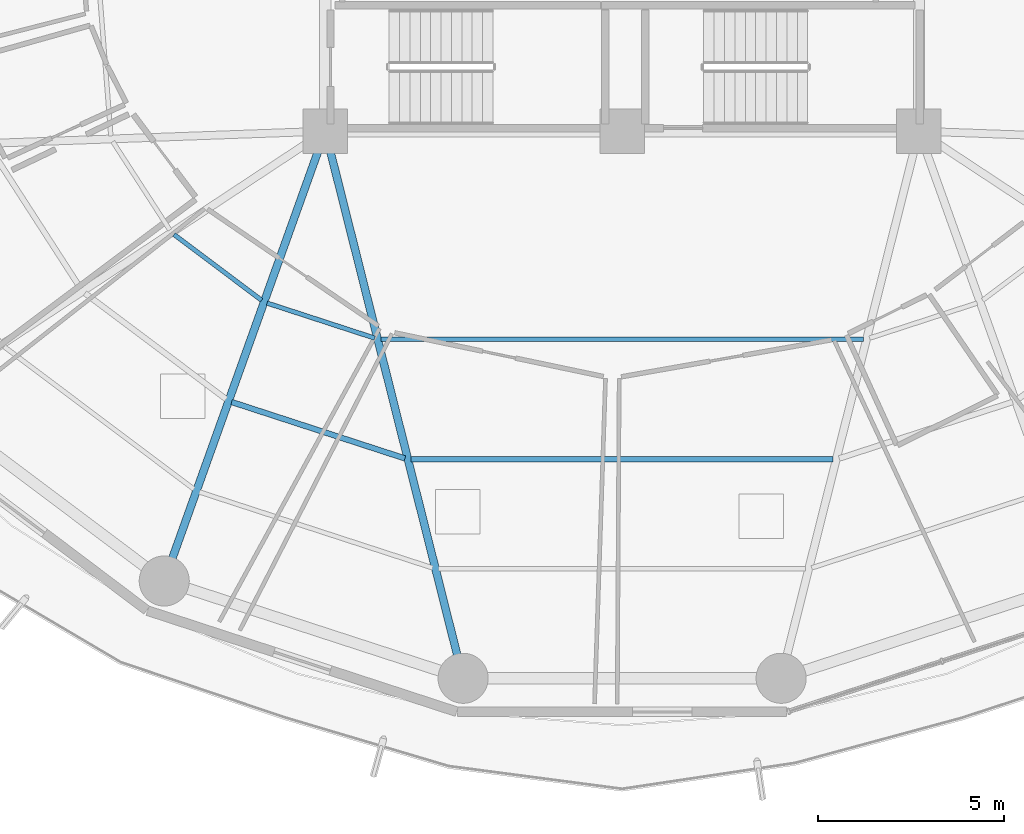
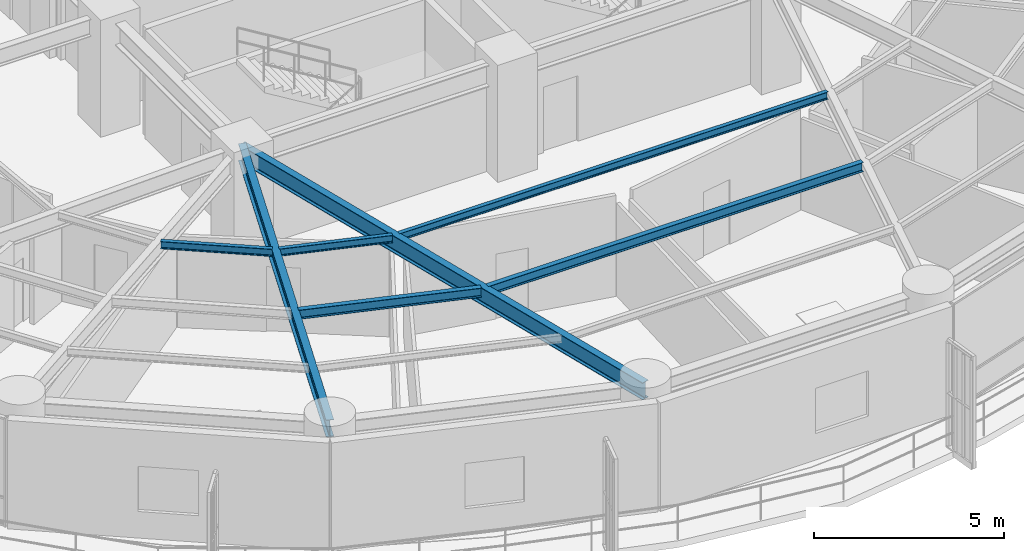
# One storey, part 5 of 38: 7 beams.
"""IFC4 building model written with IfcOpenShell, lengths in metres."""

from ifc_helpers import new_model, si_unit, direction, frame, origin, origin_2d, place, context, subcontext, project, spatial, i_section, extrude, material, material_profile, profile_set, type_object, element, save


model = new_model("IFC4")

# Units and contexts
model_context = context("Model", 3, precision=1e-05, world=origin(), true_north=direction((0.0, 1.0)))
body_context = subcontext(model_context, "Body", "Model", "MODEL_VIEW")
ifc_project = project(units=[si_unit("LENGTHUNIT", "METRE"), si_unit("AREAUNIT", "SQUARE_METRE"), si_unit("VOLUMEUNIT", "CUBIC_METRE"), si_unit("PLANEANGLEUNIT", "RADIAN"), si_unit("MASSUNIT", "GRAM", prefix="KILO")], contexts=[model_context])

# Site, building, storey
site_placement = place(None, origin())
site = spatial("IfcSite", under=ifc_project, at=site_placement, CompositionType="ELEMENT")
building_placement = place(site_placement, origin())
building = spatial("IfcBuilding", under=site, at=building_placement, Name="Kelanora Arch Commons", CompositionType="ELEMENT")
storey_placement = place(building_placement, frame((0.0, 0.0, 106.35009765625)))
storey = spatial("IfcBuildingStorey", under=building, at=storey_placement, Name="L27", CompositionType="ELEMENT", Elevation=106.35009765625)

# Beams
ifc_material = material(Name="Steel S355", Category="steel")
ifc_material_profile_1 = material_profile(ifc_material, i_section(OverallWidth=0.14990234375, OverallDepth=0.300048828125, WebThickness=0.007080078125, FlangeThickness=0.0107421875, FilletRadius=0.014892578125, at=origin_2d()), Name="IPE300")
ifc_profile_set_1 = profile_set([ifc_material_profile_1], Name="Steel S355")
beam_type_1 = type_object("IfcBeamType", Name="BM-JST-01", PredefinedType="JOIST", material=ifc_profile_set_1)
beam_1_placement = place(storey_placement, frame((63.476806640625, 43.70068359375, 3.33984375), z_axis=(0.950857140254, -0.309629938521, 0.0), x_axis=(0.309629938521, 0.950857140254, 0.0)))
element("IfcBeam", 1, at=beam_1_placement, inside=storey, type_object=beam_type_1, Name="Secondary Chord Joist BJB-24 L27", PredefinedType="JOIST", context=body_context, shape_type="SweptSolid", body=[
    extrude(i_section(OverallWidth=0.14990234375, OverallDepth=0.300048828125, WebThickness=0.007080078125, FlangeThickness=0.0107421875, FilletRadius=0.014892578125, at=origin_2d()), origin(), (0.0, 0.0, 1.0), 4.912353515625),
])
beam_2_placement = place(storey_placement, frame((68.313720703125, 42.1533203125, 3.33984375), z_axis=(1.0, 0.0, 0.0), x_axis=(0.0, 1.0, 0.0)))
element("IfcBeam", 2, at=beam_2_placement, inside=storey, type_object=beam_type_1, Name="Secondary Chord Joist BJB-26 L27", PredefinedType="JOIST", context=body_context, shape_type="SweptSolid", body=[
    extrude(i_section(OverallWidth=0.14990234375, OverallDepth=0.300048828125, WebThickness=0.007080078125, FlangeThickness=0.0107421875, FilletRadius=0.014892578125, at=origin_2d()), origin(), (0.0, 0.0, 1.0), 11.37255859375),
])
ifc_material_profile_2 = material_profile(ifc_material, i_section(OverallWidth=0.1201171875, OverallDepth=0.239990234375, WebThickness=0.006103515625, FlangeThickness=0.009765625, FilletRadius=0.014892578125, at=origin_2d()), Name="IPE240")
ifc_profile_set_2 = profile_set([ifc_material_profile_2], Name="Steel S355")
beam_type_2 = type_object("IfcBeamType", Name="BM-JST-02", PredefinedType="JOIST", material=ifc_profile_set_2)
beam_3_placement = place(storey_placement, frame((61.923583984375, 48.2158203125, 3.369873046875), z_axis=(0.799692034361, -0.600410401458, 0.0), x_axis=(0.600410401458, 0.799692034361, 0.0)))
element("IfcBeam", 3, at=beam_3_placement, inside=storey, type_object=beam_type_2, Name="Secondary Chord Joist BJA-22 L27", PredefinedType="JOIST", context=body_context, shape_type="SweptSolid", body=[
    extrude(i_section(OverallWidth=0.1201171875, OverallDepth=0.239990234375, WebThickness=0.006103515625, FlangeThickness=0.009765625, FilletRadius=0.014892578125, at=origin_2d()), origin(), (0.0, 0.0, 1.0), 2.949951171875),
])
beam_4_placement = place(storey_placement, frame((64.431640625, 46.367431640625, 3.369873046875), z_axis=(0.950846758946, -0.309661817151, 0.0), x_axis=(0.309661817151, 0.950846758946, 0.0)))
element("IfcBeam", 4, at=beam_4_placement, inside=storey, type_object=beam_type_2, Name="Secondary Chord Joist BJA-24 L27", PredefinedType="JOIST", context=body_context, shape_type="SweptSolid", body=[
    extrude(i_section(OverallWidth=0.1201171875, OverallDepth=0.239990234375, WebThickness=0.006103515625, FlangeThickness=0.009765625, FilletRadius=0.014892578125, at=origin_2d()), origin(), (0.0, 0.0, 1.0), 3.048828125),
])
beam_5_placement = place(storey_placement, frame((67.49658203125, 45.397216796875, 3.369873046875), z_axis=(1.0, 0.0, 0.0), x_axis=(0.0, 1.0, 0.0)))
element("IfcBeam", 5, at=beam_5_placement, inside=storey, type_object=beam_type_2, Name="Secondary Chord Joist BJA-26 L27", PredefinedType="JOIST", context=body_context, shape_type="SweptSolid", body=[
    extrude(i_section(OverallWidth=0.1201171875, OverallDepth=0.239990234375, WebThickness=0.006103515625, FlangeThickness=0.009765625, FilletRadius=0.014892578125, at=origin_2d()), origin(), (0.0, 0.0, 1.0), 13.0068359375),
])
ifc_material_profile_3 = material_profile(ifc_material, i_section(OverallWidth=0.2099609375, OverallDepth=0.550048828125, WebThickness=0.010986328125, FlangeThickness=0.01708984375, FilletRadius=0.02392578125, at=origin_2d()), Name="IPE550")
ifc_profile_set_3 = profile_set([ifc_material_profile_3], Name="Steel S355")
beam_type_3 = type_object("IfcBeamType", Name="BM-RAD-Z2", PredefinedType="BEAM", material=ifc_profile_set_3)
beam_6_placement = place(storey_placement, frame((66.0, 51.0, 3.21484375), z_axis=(-0.337084640008, -0.941474346687, 0.0), x_axis=(0.941474346687, -0.337084640008, 0.0)))
element("IfcBeam", 6, at=beam_6_placement, inside=storey, type_object=beam_type_3, Name="Radial Floor Girder BR-24 L27", PredefinedType="BEAM", context=body_context, shape_type="SweptSolid", body=[
    extrude(i_section(OverallWidth=0.2099609375, OverallDepth=0.550048828125, WebThickness=0.010986328125, FlangeThickness=0.01708984375, FilletRadius=0.02392578125, at=origin_2d()), origin(), (0.0, 0.0, 1.0), 12.875244140625),
])
beam_7_placement = place(storey_placement, frame((66.0, 51.0, 3.21484375), z_axis=(0.244280647475, -0.969704576286, 0.0), x_axis=(0.969704576286, 0.244280647475, 0.0)))
element("IfcBeam", 7, at=beam_7_placement, inside=storey, type_object=beam_type_3, Name="Radial Floor Girder BR-26 L27", PredefinedType="BEAM", context=body_context, shape_type="SweptSolid", body=[
    extrude(i_section(OverallWidth=0.2099609375, OverallDepth=0.550048828125, WebThickness=0.010986328125, FlangeThickness=0.01708984375, FilletRadius=0.02392578125, at=origin_2d()), origin(), (0.0, 0.0, 1.0), 15.205322265625),
])

save(model, "model.ifc")
